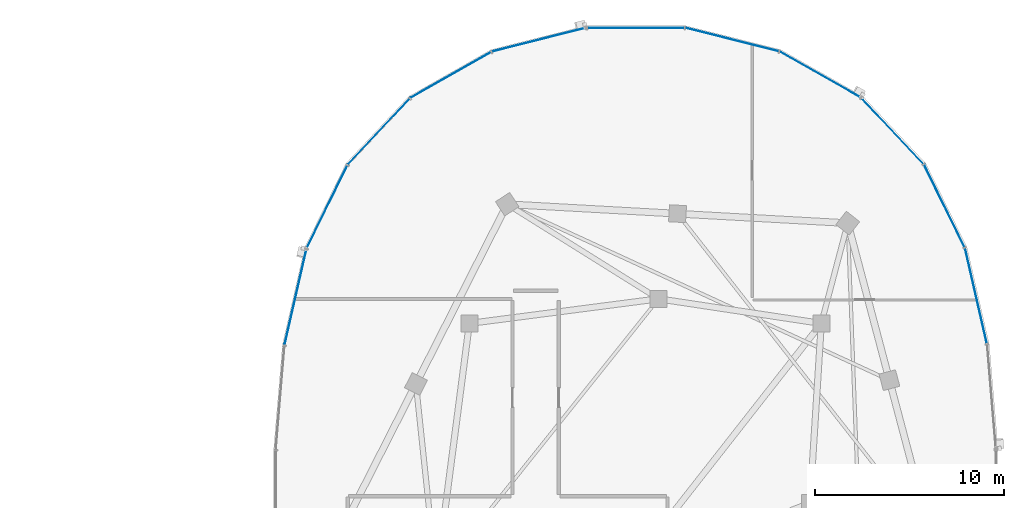
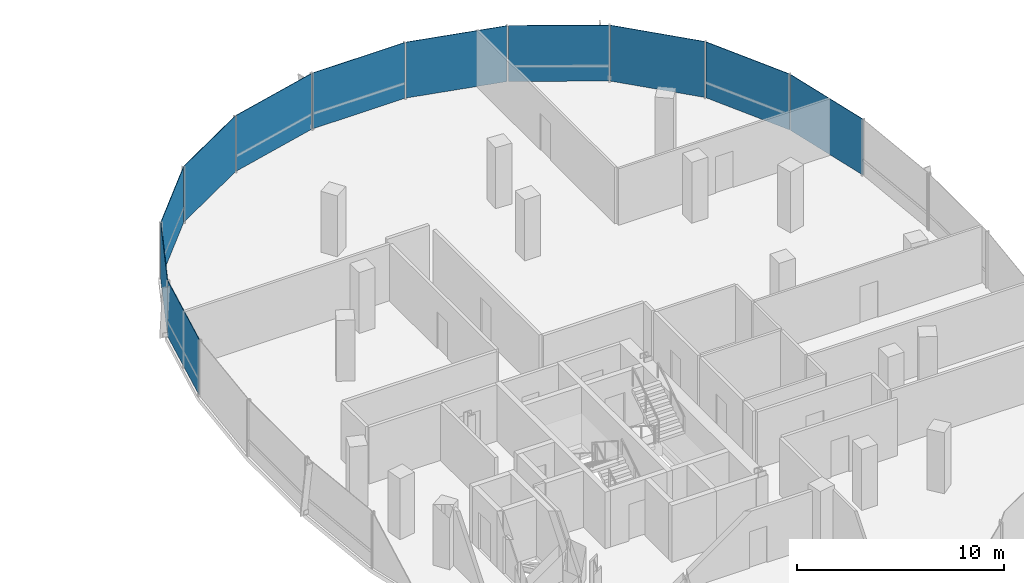
# One storey, part 14 of 25: 11 plates, 2 elements without a shape of their own.
"""IFC4 building model written with IfcOpenShell, lengths in metres."""

from ifc_helpers import new_model, si_unit, direction, frame, origin, origin_2d, place, context, subcontext, project, spatial, rectangle, extrude, material, layer, layer_set, type_object, element, aggregate, save


model = new_model("IFC4")

# Units and contexts
model_context = context("Model", 3, precision=1e-05, world=origin(), true_north=direction((0.0, 1.0)))
body_context = subcontext(model_context, "Body", "Model", "MODEL_VIEW")
ifc_project = project(units=[si_unit("LENGTHUNIT", "METRE"), si_unit("AREAUNIT", "SQUARE_METRE"), si_unit("VOLUMEUNIT", "CUBIC_METRE"), si_unit("PLANEANGLEUNIT", "RADIAN"), si_unit("MASSUNIT", "GRAM", prefix="KILO"), si_unit("THERMODYNAMICTEMPERATUREUNIT", "KELVIN"), si_unit("POWERUNIT", "WATT")], contexts=[model_context])

# Site, building, storey
site_placement = place(None, origin())
site = spatial("IfcSite", under=ifc_project, at=site_placement, CompositionType="ELEMENT")
building_placement = place(site_placement, origin())
building = spatial("IfcBuilding", under=site, at=building_placement, Name="Cundina Bronze Exchange", CompositionType="ELEMENT")
storey_placement = place(building_placement, frame((0.0, 0.0, 217.0)))
storey = spatial("IfcBuildingStorey", under=building, at=storey_placement, Name="L57", CompositionType="ELEMENT", Elevation=217.0)

# Curtain wall, plates
ifc_material_1 = material(Name="Anodised Bronze Aluminium 6063-T6", Category="aluminium")
curtain_wall_type = type_object("IfcCurtainWallType", Name="CWS-UPP-OFF", PredefinedType="NOTDEFINED", material=ifc_material_1)
curtain_wall_1_placement = place(storey_placement, origin())
curtain_wall_1 = element("IfcCurtainWall", 1, at=curtain_wall_1_placement, inside=storey, type_object=curtain_wall_type, Name="L57 CW-05 Curtain Wall Run CWR-L57-E1", PredefinedType="NOTDEFINED")
ifc_material_2 = material(Name="Heat-Strengthened Solar-Control Bronze Safety Glass 28mm", Category="glass")
ifc_layer_1 = layer(ifc_material_2, 0.028076171875, Name="Heat-Strengthened Solar-Control Bronze Safety Glass 28mm", Category="glass")
ifc_layer_set_1 = layer_set([ifc_layer_1], Name="Heat-Strengthened Solar-Control Bronze Safety Glass 28mm")
plate_type_1 = type_object("IfcPlateType", Name="PLT-GLZ-VIS28", PredefinedType="CURTAIN_PANEL", material=ifc_layer_set_1)
plate_1_placement = place(storey_placement, frame((49.98388671875, 10.92578125, 0.02001953125), z_axis=(0.0, 0.0, 1.0), x_axis=(-0.223284141459, 0.974753400698, 0.0)))
plate_1 = element("IfcPlate", 2, at=plate_1_placement, type_object=plate_type_1, Name="CW-05 Glazed Panel 2", PredefinedType="CURTAIN_PANEL", context=body_context, shape_type="SweptSolid", body=[
    extrude(rectangle(XDim=5.167724609375, YDim=0.028076171875, at=origin_2d()), origin(), (0.0, 0.0, 1.0), 3.300048828125),
])
plate_2_placement = place(storey_placement, frame((45.5791015625, 19.6552734375, 0.02001953125), z_axis=(0.0, 0.0, 1.0), x_axis=(-0.684343512797, 0.72915976061, 0.0)))
plate_2 = element("IfcPlate", 3, at=plate_2_placement, type_object=plate_type_1, Name="CW-05 Glazed Panel 4", PredefinedType="CURTAIN_PANEL", context=body_context, shape_type="SweptSolid", body=[
    extrude(rectangle(XDim=4.773193359375, YDim=0.028076171875, at=origin_2d()), origin(), (0.0, 0.0, 1.0), 3.300048828125),
])
plate_3_placement = place(storey_placement, frame((41.769287109375, 22.64111328125, 0.02001953125), z_axis=(0.0, 0.0, 1.0), x_axis=(-0.869572506985, 0.493805280547, 0.0)))
plate_3 = element("IfcPlate", 4, at=plate_3_placement, type_object=plate_type_1, Name="CW-05 Glazed Panel 5", PredefinedType="CURTAIN_PANEL", context=body_context, shape_type="SweptSolid", body=[
    extrude(rectangle(XDim=4.907958984375, YDim=0.028076171875, at=origin_2d()), origin(), (0.0, 0.0, 1.0), 3.300048828125),
])
plate_4_placement = place(storey_placement, frame((37.11279296875, 24.49609375, 0.02001953125), z_axis=(0.0, 0.0, 1.0), x_axis=(-0.969731542251, 0.244173577528, 0.0)))
plate_4 = element("IfcPlate", 5, at=plate_4_placement, type_object=plate_type_1, Name="CW-05 Glazed Panel 6", PredefinedType="CURTAIN_PANEL", context=body_context, shape_type="SweptSolid", body=[
    extrude(rectangle(XDim=5.0908203125, YDim=0.028076171875, at=origin_2d()), origin(), (0.0, 0.0, 1.0), 3.300048828125),
])
plate_5_placement = place(storey_placement, frame((32.0, 25.125, 0.02001953125), z_axis=(0.0, 0.0, 1.0), x_axis=(-1.0, 0.0, 0.0)))
plate_5 = element("IfcPlate", 6, at=plate_5_placement, type_object=plate_type_1, Name="CW-05 Glazed Panel 7", PredefinedType="CURTAIN_PANEL", context=body_context, shape_type="SweptSolid", body=[
    extrude(rectangle(XDim=5.16796875, YDim=0.028076171875, at=origin_2d()), origin(), (0.0, 0.0, 1.0), 3.300048828125),
])

curtain_wall_2_placement = place(storey_placement, origin())
curtain_wall_2 = element("IfcCurtainWall", 7, at=curtain_wall_2_placement, inside=storey, type_object=curtain_wall_type, Name="L57 CW-05 Curtain Wall Run CWR-L57-E2", PredefinedType="NOTDEFINED")
plate_6_placement = place(storey_placement, frame((26.88720703125, 24.49609375, 0.02001953125), z_axis=(0.0, 0.0, 1.0), x_axis=(-0.969731542251, -0.244173577528, 0.0)))
plate_6 = element("IfcPlate", 8, at=plate_6_placement, type_object=plate_type_1, Name="CW-05 Glazed Panel 1", PredefinedType="CURTAIN_PANEL", context=body_context, shape_type="SweptSolid", body=[
    extrude(rectangle(XDim=5.0908203125, YDim=0.028076171875, at=origin_2d()), origin(), (0.0, 0.0, 1.0), 3.300048828125),
])
plate_7_placement = place(storey_placement, frame((18.4208984375, 19.6552734375, 0.02001953125), z_axis=(0.0, 0.0, 1.0), x_axis=(-0.684343512797, -0.72915976061, 0.0)))
plate_7 = element("IfcPlate", 9, at=plate_7_placement, type_object=plate_type_1, Name="CW-05 Glazed Panel 3", PredefinedType="CURTAIN_PANEL", context=body_context, shape_type="SweptSolid", body=[
    extrude(rectangle(XDim=4.773193359375, YDim=0.028076171875, at=origin_2d()), origin(), (0.0, 0.0, 1.0), 3.300048828125),
])
plate_8_placement = place(storey_placement, frame((15.685302734375, 15.686767578125, 0.02001953125), z_axis=(0.0, 0.0, 1.0), x_axis=(-0.440503330345, -0.897750976582, 0.0)))
plate_8 = element("IfcPlate", 10, at=plate_8_placement, type_object=plate_type_1, Name="CW-05 Glazed Panel 4", PredefinedType="CURTAIN_PANEL", context=body_context, shape_type="SweptSolid", body=[
    extrude(rectangle(XDim=4.863525390625, YDim=0.028076171875, at=origin_2d()), origin(), (0.0, 0.0, 1.0), 3.300048828125),
])
plate_9_placement = place(storey_placement, frame((14.01611328125, 10.92578125, 0.02001953125), z_axis=(0.0, 0.0, 1.0), x_axis=(-0.223284141459, -0.974753400698, 0.0)))
plate_9 = element("IfcPlate", 11, at=plate_9_placement, type_object=plate_type_1, Name="CW-05 Glazed Panel 5", PredefinedType="CURTAIN_PANEL", context=body_context, shape_type="SweptSolid", body=[
    extrude(rectangle(XDim=5.167724609375, YDim=0.028076171875, at=origin_2d()), origin(), (0.0, 0.0, 1.0), 3.300048828125),
])

# Plate
ifc_material_3 = material(Name="Dark Bronze Spandrel Glass Panel 32mm", Category="glass")
ifc_layer_2 = layer(ifc_material_3, 0.031982421875, Name="Dark Bronze Spandrel Glass Panel 32mm", Category="glass")
ifc_layer_set_2 = layer_set([ifc_layer_2], Name="Dark Bronze Spandrel Glass Panel 32mm")
plate_type_2 = type_object("IfcPlateType", Name="PLT-SPN-BRZ32", PredefinedType="CURTAIN_PANEL", material=ifc_layer_set_2)
plate_10_placement = place(storey_placement, frame((48.314697265625, 15.686767578125, 0.02001953125), z_axis=(0.0, 0.0, 1.0), x_axis=(-0.440503330345, 0.897750976582, 0.0)))
plate_10 = element("IfcPlate", 12, at=plate_10_placement, type_object=plate_type_2, Name="CW-05 Glazed Panel 3", PredefinedType="CURTAIN_PANEL", context=body_context, shape_type="SweptSolid", body=[
    extrude(rectangle(XDim=4.863525390625, YDim=0.031982421875, at=origin_2d()), origin(), (0.0, 0.0, 1.0), 3.300048828125),
])

aggregate(curtain_wall_1, [plate_1, plate_10, plate_2, plate_3, plate_4, plate_5])

plate_11_placement = place(storey_placement, frame((22.230712890625, 22.64111328125, 0.02001953125), z_axis=(0.0, 0.0, 1.0), x_axis=(-0.869572506985, -0.493805280547, 0.0)))
plate_11 = element("IfcPlate", 13, at=plate_11_placement, type_object=plate_type_2, Name="CW-05 Glazed Panel 2", PredefinedType="CURTAIN_PANEL", context=body_context, shape_type="SweptSolid", body=[
    extrude(rectangle(XDim=4.907958984375, YDim=0.031982421875, at=origin_2d()), origin(), (0.0, 0.0, 1.0), 3.300048828125),
])

aggregate(curtain_wall_2, [plate_6, plate_11, plate_7, plate_8, plate_9])

save(model, "model.ifc")
